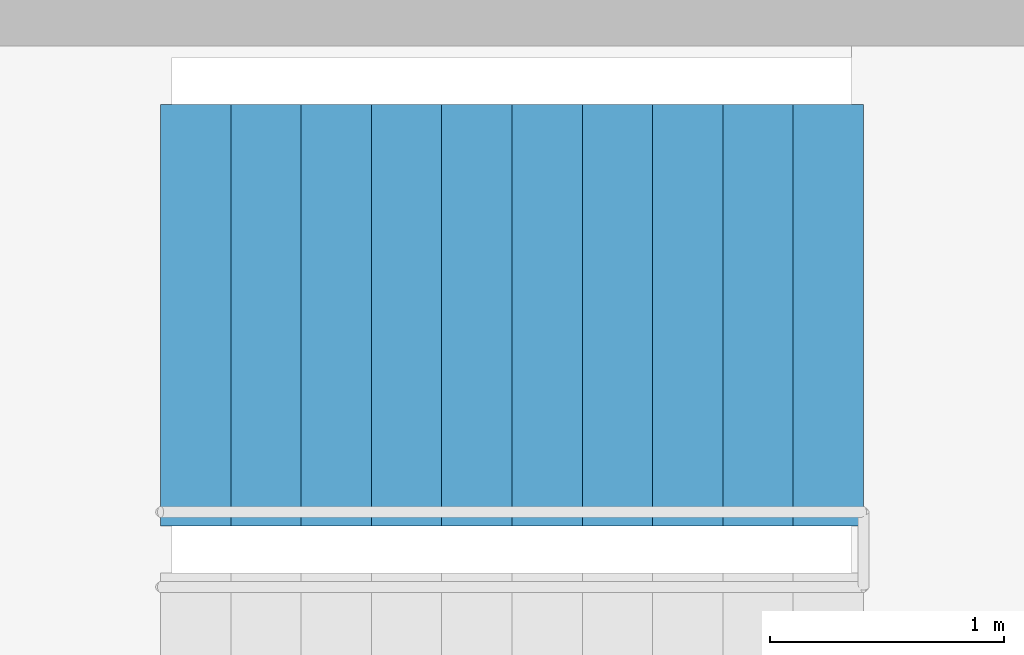
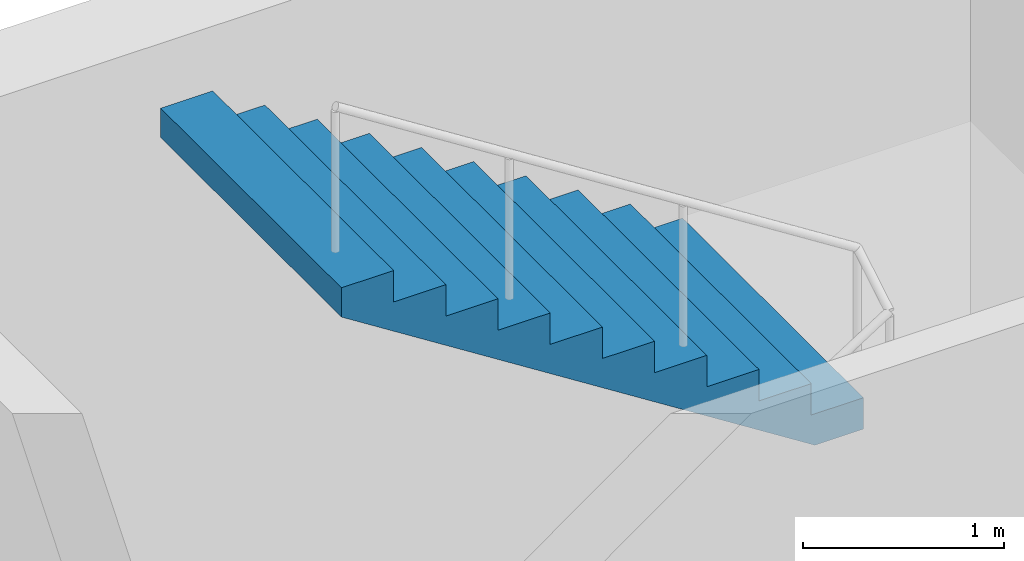
# One storey, part 11 of 12: 1 stair flight, 1 element without a shape of its own.
"""IFC4 building model written with IfcOpenShell, lengths in metres."""

from ifc_helpers import new_model, si_unit, direction, frame, origin, place, context, subcontext, project, spatial, polyline, outline, extrude, material, type_object, element, aggregate, save


model = new_model("IFC4")

# Units and contexts
model_context = context("Model", 3, precision=1e-05, world=origin(), true_north=direction((0.0, 1.0)))
body_context = subcontext(model_context, "Body", "Model", "MODEL_VIEW")
ifc_project = project(units=[si_unit("LENGTHUNIT", "METRE"), si_unit("AREAUNIT", "SQUARE_METRE"), si_unit("VOLUMEUNIT", "CUBIC_METRE"), si_unit("PLANEANGLEUNIT", "RADIAN"), si_unit("MASSUNIT", "GRAM", prefix="KILO")], contexts=[model_context])

# Site, building, storey
site_placement = place(None, origin())
site = spatial("IfcSite", under=ifc_project, at=site_placement, CompositionType="ELEMENT")
building_placement = place(site_placement, origin())
building = spatial("IfcBuilding", under=site, at=building_placement, Name="Crosswind Convention Tower", CompositionType="ELEMENT")
storey_placement = place(building_placement, frame((0.0, 0.0, 332.300048828125)))
storey = spatial("IfcBuildingStorey", under=building, at=storey_placement, Name="L72", CompositionType="ELEMENT", Elevation=332.300048828125)

# Stair, stair flight
ifc_material = material(Name="Concrete C40/50", Category="concrete")
stair_type = type_object("IfcStairType", Name="Exit stair 1800 wide, 2 flights of 11 risers", PredefinedType="HALF_TURN_STAIR", material=ifc_material)
stair_placement = place(storey_placement, origin())
stair = element("IfcStair", 1, at=stair_placement, inside=storey, type_object=stair_type, Name="Exit stair ST1 L72", ObjectType="ST5", PredefinedType="HALF_TURN_STAIR")
stair_flight_type = type_object("IfcStairFlightType", Name="Stair flight 1800 wide, 11 risers (SF4)", PredefinedType="STRAIGHT", material=ifc_material)
stair_flight_placement = place(storey_placement, frame((142.10009765625, 110.60009765625, 2.099853515625), z_axis=(0.0, 0.0, 1.0), x_axis=(-1.0, 0.0, 0.0)))
stair_flight = element("IfcStairFlight", 2, at=stair_flight_placement, type_object=stair_flight_type, Name="ST1 flight 2", NumberOfRisers=11, NumberOfTreads=10, PredefinedType="STRAIGHT", RiserHeight=0.190909091, TreadLength=0.3, context=body_context, shape_type="SweptSolid", body=[
    extrude(outline(polyline([(0.0, 0.0), (0.0, 0.19091796875), (0.300048828125, 0.19091796875), (0.300048828125, 0.3818359375), (0.60009765625, 0.3818359375), (0.60009765625, 0.57275390625), (0.89990234375, 0.57275390625), (0.89990234375, 0.763671875), (1.199951171875, 0.763671875), (1.199951171875, 0.95458984375), (1.5, 0.95458984375), (1.5, 1.1455078125), (1.800048828125, 1.1455078125), (1.800048828125, 1.33642578125), (2.10009765625, 1.33642578125), (2.10009765625, 1.52734375), (2.39990234375, 1.52734375), (2.39990234375, 1.71826171875), (2.699951171875, 1.71826171875), (2.699951171875, 1.9091796875), (3.0, 1.9091796875), (3.0, 2.10009765625), (3.0, 1.7314453125), (0.279296875, 0.0), (0.0, 0.0)])), frame((0.0, 0.89990234375, 0.0), z_axis=(0.0, -1.0, 0.0), x_axis=(1.0, 0.0, 0.0)), (0.0, 0.0, 1.0), 1.800048828125),
])
aggregate(stair, [stair_flight])

save(model, "model.ifc")
